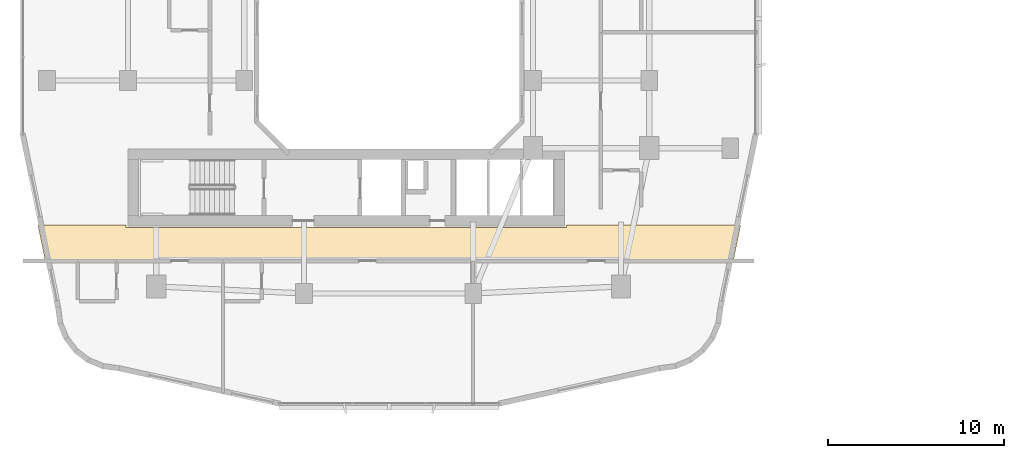
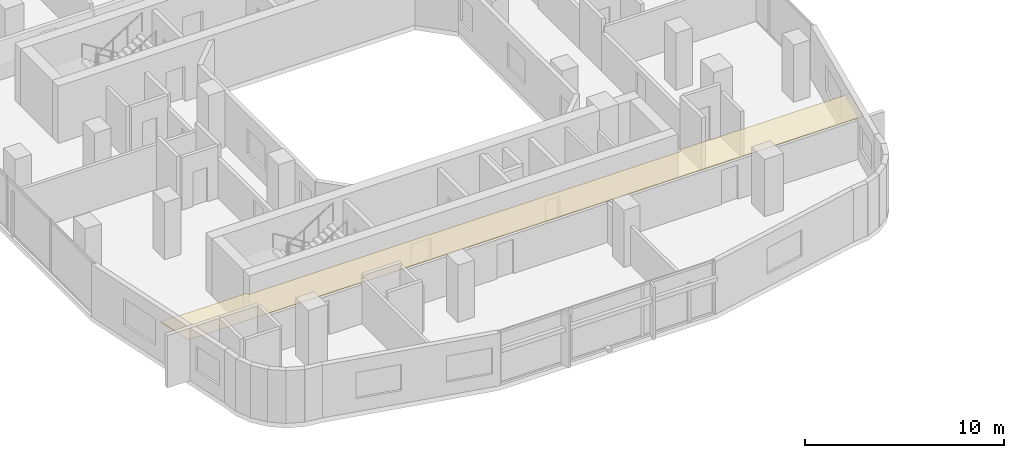
# One storey, part 23 of 26: 1 covering.
"""IFC4 building model written with IfcOpenShell, lengths in metres."""

from ifc_helpers import new_model, si_unit, derived_unit, direction, frame, origin, place, context, subcontext, project, spatial, polyline, outline, extrude, material, layer, layer_set, type_object, element, save


model = new_model("IFC4")

# Units and contexts
model_context = context("Model", 3, precision=1e-05, world=origin(), true_north=direction((0.0, 1.0)))
body_context = subcontext(model_context, "Body", "Model", "MODEL_VIEW")
ifc_project = project(units=[si_unit("LENGTHUNIT", "METRE"), si_unit("AREAUNIT", "SQUARE_METRE"), si_unit("VOLUMEUNIT", "CUBIC_METRE"), si_unit("PLANEANGLEUNIT", "RADIAN"), si_unit("MASSUNIT", "GRAM", prefix="KILO"), derived_unit("THERMALTRANSMITTANCEUNIT", [(si_unit("POWERUNIT", "WATT"), 1), (si_unit("LENGTHUNIT", "METRE"), -2), (si_unit("THERMODYNAMICTEMPERATUREUNIT", "KELVIN"), -1)])], contexts=[model_context])

# Site, building, storey
site_placement = place(None, origin())
site = spatial("IfcSite", under=ifc_project, at=site_placement, CompositionType="ELEMENT")
building_placement = place(site_placement, origin())
building = spatial("IfcBuilding", under=site, at=building_placement, Name="Kivonza Crest Hotel", CompositionType="ELEMENT")
storey_placement = place(building_placement, frame((0.0, 0.0, 45.0)))
storey = spatial("IfcBuildingStorey", under=building, at=storey_placement, Name="L11", CompositionType="ELEMENT", Elevation=45.0)

# Covering
ifc_material = material(Name="Mineral-fibre acoustic ceiling tile", Category="gypsum")
ifc_layer = layer(ifc_material, 0.02490234375)
ifc_layer_set = layer_set([ifc_layer], Name="Mineral-fibre acoustic ceiling tile")
covering_type = type_object("IfcCoveringType", Name="CV-CEIL-ACOU", PredefinedType="CEILING", material=ifc_layer_set)
covering_placement = place(storey_placement, frame((0.0, 0.0, 2.449951171875)))
element("IfcCovering", 1, at=covering_placement, inside=storey, type_object=covering_type, Name="L11 Hotel South Guest Corridor suspended ceiling", PredefinedType="CEILING", context=body_context, shape_type="SweptSolid", body=[
    extrude(outline(polyline([(31.10009765625, 13.2900390625), (31.10009765625, 13.139892578125), (6.10009765625, 13.139892578125), (6.10009765625, 13.280029296875), (1.083984375, 13.280029296875), (1.506103515625, 11.2099609375), (40.573974609375, 11.2099609375), (40.99609375, 13.280029296875), (33.090087890625, 13.280029296875), (33.090087890625, 13.2900390625), (31.10009765625, 13.2900390625)])), origin(), (0.0, 0.0, 1.0), 0.025146484375),
])

save(model, "model.ifc")
